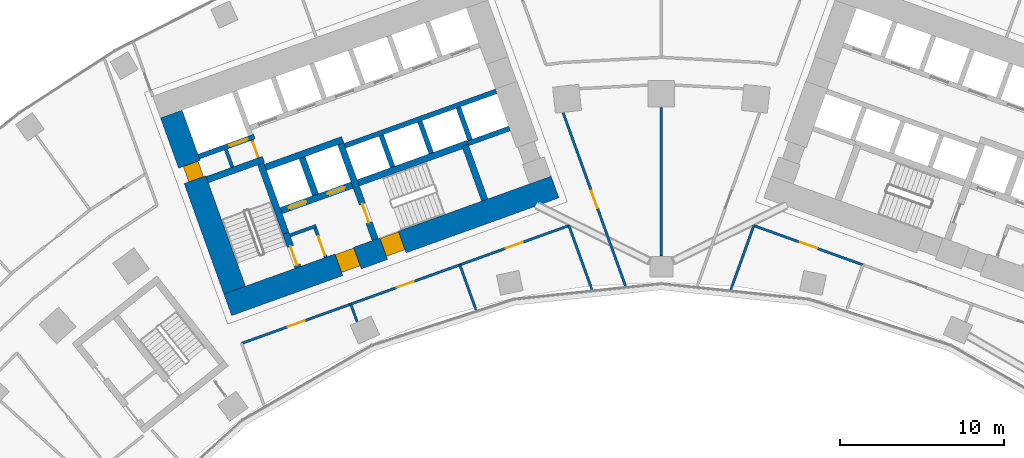
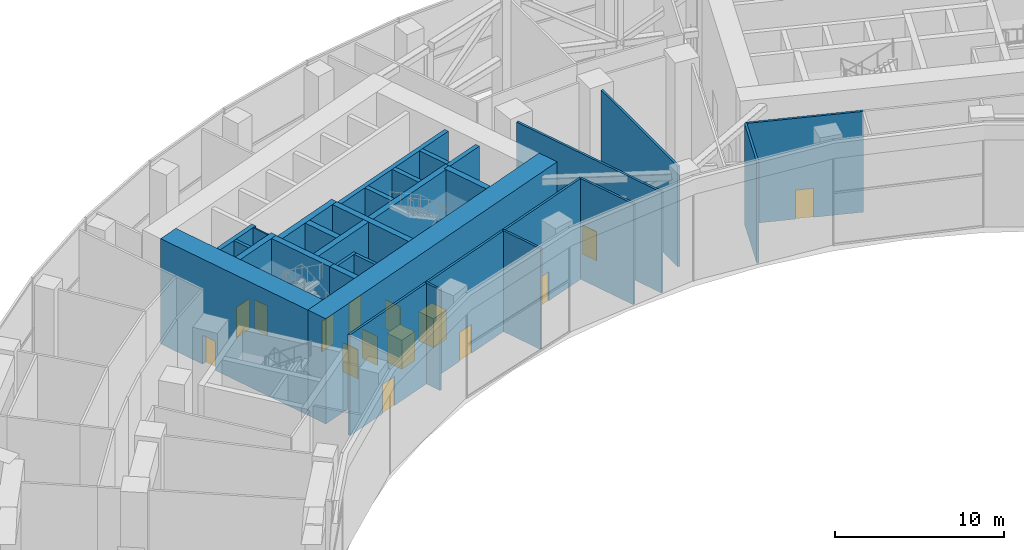
# One storey, part 25 of 33: 30 walls, 15 doors, 15 openings.
"""IFC4 building model written with IfcOpenShell, lengths in metres."""

from ifc_helpers import new_model, si_unit, direction, frame, frame_2d, origin, place, context, subcontext, project, spatial, rectangle, extrude, material, layer, layer_set, type_object, element, fill, save


model = new_model("IFC4")

# Units and contexts
model_context = context("Model", 3, precision=1e-05, world=origin(), true_north=direction((0.0, 1.0)))
body_context = subcontext(model_context, "Body", "Model", "MODEL_VIEW")
ifc_project = project(units=[si_unit("LENGTHUNIT", "METRE"), si_unit("AREAUNIT", "SQUARE_METRE"), si_unit("VOLUMEUNIT", "CUBIC_METRE"), si_unit("PLANEANGLEUNIT", "RADIAN"), si_unit("MASSUNIT", "GRAM", prefix="KILO")], contexts=[model_context])

# Site, building, storey
site_placement = place(None, origin())
site = spatial("IfcSite", under=ifc_project, at=site_placement, CompositionType="ELEMENT")
building_placement = place(site_placement, origin())
building = spatial("IfcBuilding", under=site, at=building_placement, Name="Stone Belt Terrace Tower", CompositionType="ELEMENT")
storey_placement = place(building_placement, frame((0.0, 0.0, 79.39990234375)))
storey = spatial("IfcBuildingStorey", under=building, at=storey_placement, Name="L19", CompositionType="ELEMENT", Elevation=79.39990234375)

# Wall, opening, door
ifc_material_1 = material(Name="Plasterboard partition")
ifc_layer_1 = layer(ifc_material_1, 0.10009765625)
ifc_layer_set_1 = layer_set([ifc_layer_1], Name="Core partition 100")
wall_type_1 = type_object("IfcWallType", Name="Core partition 100", PredefinedType="PARTITIONING", material=ifc_layer_set_1)
wall_1_placement = place(storey_placement, frame((-24.555908203125, 51.10400390625, 0.0), z_axis=(0.0, 0.0, 1.0), x_axis=(-0.338621735342, 0.94092258999, 0.0)))
wall_1 = element("IfcWall", 1, at=wall_1_placement, inside=storey, type_object=wall_type_1, Name="Core A wall", PredefinedType="PARTITIONING", context=body_context, shape_type="SweptSolid", body=[
    extrude(rectangle(XDim=1.14990234375, YDim=0.10009765625, at=frame_2d((0.574951171875, 0.0))), origin(), (0.0, 0.0, 1.0), 7.280029296875),
])
opening_1_placement = place(wall_1_placement, frame((0.050048828125, 0.0, 0.0)))
opening_1 = element("IfcOpeningElement", 2, at=opening_1_placement, cuts=wall_1, Name="Opening L19-C02", PredefinedType="OPENING", context=body_context, shape_type="SweptSolid", body=[
    extrude(rectangle(XDim=1.0, YDim=2.10009765625, at=frame_2d((0.5, 1.050048828125))), frame((0.0, 0.06005859375, 0.0), z_axis=(0.0, -1.0, 0.0), x_axis=(1.0, 0.0, 0.0)), (0.0, 0.0, 1.0), 0.1201171875),
])
ifc_material_2 = material(Name="Timber door leaf", Category="wood")
door_type_1 = type_object("IfcDoorType", Name="Core room door 1000", OperationType="SINGLE_SWING_LEFT", PredefinedType="DOOR", material=ifc_material_2)
door_1_placement = place(opening_1_placement, origin())
door_1 = element("IfcDoor", 3, at=door_1_placement, inside=storey, type_object=door_type_1, Name="Service lift lobby door core A", OperationType="SINGLE_SWING_LEFT", OverallHeight=2.10009765625, OverallWidth=1.0, PredefinedType="DOOR", context=body_context, shape_type="SweptSolid", body=[
    extrude(rectangle(XDim=1.0, YDim=2.10009765625, at=frame_2d((0.5, 1.050048828125))), frame((0.0, 0.02490234375, 0.0), z_axis=(0.0, -1.0, 0.0), x_axis=(1.0, 0.0, 0.0)), (0.0, 0.0, 1.0), 0.050048828125),
])
fill(opening_1, door_1)

# Wall, openings, doors
ifc_material_3 = material(Name="Concrete B80", Category="concrete")
ifc_layer_2 = layer(ifc_material_3, 1.39990234375)
ifc_layer_set_2 = layer_set([ifc_layer_2], Name="Core wall 1400 B80")
wall_type_2 = type_object("IfcWallType", Name="Core wall 1400 B80", PredefinedType="SHEAR", material=ifc_layer_set_2)
wall_2_placement = place(storey_placement, frame((-26.430908203125, 42.139404296875, 0.0), z_axis=(0.0, 0.0, 1.0), x_axis=(0.940923374003, 0.33861955681, 0.0)))
wall_2 = element("IfcWall", 4, at=wall_2_placement, inside=storey, type_object=wall_type_2, Name="Core A wall concave L19", PredefinedType="SHEAR", context=body_context, shape_type="SweptSolid", body=[
    extrude(rectangle(XDim=21.199951171875, YDim=1.39990234375, at=frame_2d((10.60009765625, 0.0))), origin(), (0.0, 0.0, 1.0), 7.60009765625),
])
opening_2_placement = place(wall_2_placement, frame((7.199951171875, 0.0, 0.0)))
opening_2 = element("IfcOpeningElement", 5, at=opening_2_placement, cuts=wall_2, Name="Opening L19-C06", PredefinedType="OPENING", context=body_context, shape_type="SweptSolid", body=[
    extrude(rectangle(XDim=1.199951171875, YDim=2.10009765625, at=frame_2d((0.60009765625, 1.050048828125))), frame((0.0, 0.7099609375, 0.0), z_axis=(0.0, -1.0, 0.0), x_axis=(1.0, 0.0, 0.0)), (0.0, 0.0, 1.0), 1.419921875),
])
opening_3_placement = place(wall_2_placement, frame((10.099853515625, 0.0, 0.0)))
opening_3 = element("IfcOpeningElement", 6, at=opening_3_placement, cuts=wall_2, Name="Opening L19-C08", PredefinedType="OPENING", context=body_context, shape_type="SweptSolid", body=[
    extrude(rectangle(XDim=1.199951171875, YDim=2.10009765625, at=frame_2d((0.60009765625, 1.050048828125))), frame((0.0, 0.7099609375, 0.0), z_axis=(0.0, -1.0, 0.0), x_axis=(1.0, 0.0, 0.0)), (0.0, 0.0, 1.0), 1.419921875),
])
ifc_material_4 = material(Name="Steel door leaf", Category="steel")
door_type_2 = type_object("IfcDoorType", Name="Fire-fighting lobby door 1200", OperationType="SINGLE_SWING_LEFT", PredefinedType="DOOR", material=ifc_material_4)
door_2_placement = place(opening_2_placement, origin())
door_2 = element("IfcDoor", 7, at=door_2_placement, inside=storey, type_object=door_type_2, Name="Fire-fighting lobby door core A", OperationType="SINGLE_SWING_LEFT", OverallHeight=2.10009765625, OverallWidth=1.199951171875, PredefinedType="DOOR", context=body_context, shape_type="SweptSolid", body=[
    extrude(rectangle(XDim=1.199951171875, YDim=2.10009765625, at=frame_2d((0.60009765625, 1.050048828125))), frame((0.0, 0.655029296875, 0.0), z_axis=(0.0, -1.0, 0.0), x_axis=(1.0, 0.0, 0.0)), (0.0, 0.0, 1.0), 1.14990234375),
])
fill(opening_2, door_2)
door_type_3 = type_object("IfcDoorType", Name="Stair door 1200", OperationType="SINGLE_SWING_LEFT", PredefinedType="DOOR", material=ifc_material_4)
door_3_placement = place(opening_3_placement, origin())
door_3 = element("IfcDoor", 8, at=door_3_placement, inside=storey, type_object=door_type_3, Name="Stair 2 exit door core A", OperationType="SINGLE_SWING_RIGHT", OverallHeight=2.10009765625, OverallWidth=1.199951171875, PredefinedType="DOOR", context=body_context, shape_type="SweptSolid", body=[
    extrude(rectangle(XDim=1.199951171875, YDim=2.10009765625, at=frame_2d((0.60009765625, 1.050048828125))), frame((0.0, 0.655029296875, 0.0), z_axis=(0.0, -1.0, 0.0), x_axis=(1.0, 0.0, 0.0)), (0.0, 0.0, 1.0), 1.14990234375),
])
fill(opening_3, door_3)

# Wall, opening, door
wall_3_placement = place(storey_placement, frame((-26.00927734375, 43.03515625, 0.0), z_axis=(0.0, 0.0, 1.0), x_axis=(-0.338625431531, 0.940921259788, 0.0)))
wall_3 = element("IfcWall", 9, at=wall_3_placement, inside=storey, type_object=wall_type_2, Name="Core A wall end_a L19", PredefinedType="SHEAR", context=body_context, shape_type="SweptSolid", body=[
    extrude(rectangle(XDim=11.400146484375, YDim=1.39990234375, at=frame_2d((5.7001953125, 0.0))), origin(), (0.0, 0.0, 1.0), 7.60009765625),
])
opening_4_placement = place(wall_3_placement, frame((7.14990234375, 0.0, 0.0)))
opening_4 = element("IfcOpeningElement", 10, at=opening_4_placement, cuts=wall_3, Name="Opening L19-C01", PredefinedType="OPENING", context=body_context, shape_type="SweptSolid", body=[
    extrude(rectangle(XDim=1.0, YDim=2.10009765625, at=frame_2d((0.5, 1.050048828125))), frame((0.0, 0.7099609375, 0.0), z_axis=(0.0, -1.0, 0.0), x_axis=(1.0, 0.0, 0.0)), (0.0, 0.0, 1.0), 1.419921875),
])
door_4_placement = place(opening_4_placement, origin())
door_4 = element("IfcDoor", 11, at=door_4_placement, inside=storey, type_object=door_type_1, Name="Door to Plant riser room core A", OperationType="SINGLE_SWING_RIGHT", OverallHeight=2.10009765625, OverallWidth=1.0, PredefinedType="DOOR", context=body_context, shape_type="SweptSolid", body=[
    extrude(rectangle(XDim=1.0, YDim=2.10009765625, at=frame_2d((0.5, 1.050048828125))), frame((0.0, 0.39501953125, 0.0), z_axis=(0.0, -1.0, 0.0), x_axis=(1.0, 0.0, 0.0)), (0.0, 0.0, 1.0), 0.949951171875),
])
fill(opening_4, door_4)

# Walls
ifc_layer_3 = layer(ifc_material_3, 0.39990234375)
ifc_layer_set_3 = layer_set([ifc_layer_3], Name="Fire-fighting lift shaft wall 400")
wall_type_3 = type_object("IfcWallType", Name="Fire-fighting lift shaft wall 400", PredefinedType="SHEAR", material=ifc_layer_set_3)
wall_4_placement = place(storey_placement, frame((-24.130615234375, 50.512939453125, 0.0), z_axis=(0.0, 0.0, 1.0), x_axis=(0.94091168377, 0.338652038744, 0.0)))
element("IfcWall", 12, at=wall_4_placement, inside=storey, type_object=wall_type_3, Name="Core A wall", PredefinedType="SHEAR", context=body_context, shape_type="SweptSolid", body=[
    extrude(rectangle(XDim=5.000244140625, YDim=0.39990234375, at=frame_2d((2.5, 0.0))), origin(), (0.0, 0.0, 1.0), 7.280029296875),
])
wall_5_placement = place(storey_placement, frame((-21.0859375, 48.845458984375, 0.0), z_axis=(0.0, 0.0, 1.0), x_axis=(-0.338629416206, 0.940919825745, 0.0)))
element("IfcWall", 13, at=wall_5_placement, inside=storey, type_object=wall_type_3, Name="Core A wall", PredefinedType="SHEAR", context=body_context, shape_type="SweptSolid", body=[
    extrude(rectangle(XDim=2.400146484375, YDim=0.39990234375, at=frame_2d((1.2001953125, 0.0))), origin(), (0.0, 0.0, 1.0), 7.280029296875),
])

# Wall, opening, door
ifc_layer_4 = layer(ifc_material_3, 0.300048828125)
ifc_layer_set_4 = layer_set([ifc_layer_4], Name="Lift shaft wall 300")
wall_type_4 = type_object("IfcWallType", Name="Lift shaft wall 300", PredefinedType="SHEAR", material=ifc_layer_set_4)
wall_6_placement = place(storey_placement, frame((-28.195068359375, 51.17578125, 0.0), z_axis=(0.0, 0.0, 1.0), x_axis=(0.940901243567, 0.338681044427, 0.0)))
wall_6 = element("IfcWall", 14, at=wall_6_placement, inside=storey, type_object=wall_type_4, Name="Core A wall", PredefinedType="SHEAR", context=body_context, shape_type="SweptSolid", body=[
    extrude(rectangle(XDim=3.599853515625, YDim=0.300048828125, at=frame_2d((1.7998046875, 0.0))), origin(), (0.0, 0.0, 1.0), 7.280029296875),
])
opening_5_placement = place(wall_6_placement, frame((1.969970703125, 0.0, 0.0)))
opening_5 = element("IfcOpeningElement", 15, at=opening_5_placement, cuts=wall_6, Name="Opening L19-LD09", PredefinedType="OPENING", context=body_context, shape_type="SweptSolid", body=[
    extrude(rectangle(XDim=1.199951171875, YDim=2.199951171875, at=frame_2d((0.60009765625, 1.10009765625))), frame((0.0, 0.159912109375, 0.0), z_axis=(0.0, -1.0, 0.0), x_axis=(1.0, 0.0, 0.0)), (0.0, 0.0, 1.0), 0.320068359375),
])
ifc_material_5 = material(Name="Stainless steel door leaf", Category="steel")
door_type_4 = type_object("IfcDoorType", Name="Landing door 1200", OperationType="SLIDING_TO_LEFT", PredefinedType="DOOR", material=ifc_material_5)
door_5_placement = place(opening_5_placement, origin())
door_5 = element("IfcDoor", 16, at=door_5_placement, inside=storey, type_object=door_type_4, Name="Landing door SV1 core A", OperationType="SLIDING_TO_LEFT", OverallHeight=2.199951171875, OverallWidth=1.199951171875, PredefinedType="DOOR", context=body_context, shape_type="SweptSolid", body=[
    extrude(rectangle(XDim=1.199951171875, YDim=2.199951171875, at=frame_2d((0.60009765625, 1.10009765625))), frame((0.0, 0.02490234375, 0.0), z_axis=(0.0, -1.0, 0.0), x_axis=(1.0, 0.0, 0.0)), (0.0, 0.0, 1.0), 0.050048828125),
])
fill(opening_5, door_5)

# Walls
wall_7_placement = place(storey_placement, frame((-19.29052734375, 51.829833984375, 0.0), z_axis=(0.0, 0.0, 1.0), x_axis=(0.940925833398, 0.338612722803, 0.0)))
element("IfcWall", 17, at=wall_7_placement, inside=storey, type_object=wall_type_4, Name="Core A wall", PredefinedType="SHEAR", context=body_context, shape_type="SweptSolid", body=[
    extrude(rectangle(XDim=9.7998046875, YDim=0.300048828125, at=frame_2d((4.89990234375, 0.0))), origin(), (0.0, 0.0, 1.0), 7.280029296875),
])
for number, where, z_axis, x_axis, name in (
    (18, (-16.38134765625, 50.53857421875, 0.0), (0.0, 0.0, 1.0), (-0.338681515556, 0.940901073982, 0.0), "Core A wall"),
    (19, (-14.029052734375, 51.38525390625, 0.0), (0.0, 0.0, 1.0), (-0.338681515556, 0.940901073982, 0.0), "Core A wall"),
):
    element("IfcWall", number, at=place(storey_placement, frame(where, z_axis=z_axis, x_axis=x_axis)), inside=storey, type_object=wall_type_4, Name=name, PredefinedType="SHEAR", context=body_context, shape_type="SweptSolid", body=[
        extrude(rectangle(XDim=2.050048828125, YDim=0.300048828125, at=frame_2d((1.02490234375, 0.0))), origin(), (0.0, 0.0, 1.0), 7.280029296875),
    ])
wall_8_placement = place(storey_placement, frame((-11.797119140625, 51.975830078125, 0.0), z_axis=(0.0, 0.0, 1.0), x_axis=(0.940910465161, 0.33865542451, 0.0)))
element("IfcWall", 20, at=wall_8_placement, inside=storey, type_object=wall_type_4, Name="Core A wall", PredefinedType="SHEAR", context=body_context, shape_type="SweptSolid", body=[
    extrude(rectangle(XDim=2.69970703125, YDim=0.300048828125, at=frame_2d((1.349853515625, 0.0))), origin(), (0.0, 0.0, 1.0), 7.280029296875),
])
wall_9_placement = place(storey_placement, frame((-11.659912109375, 52.184814453125, 0.0), z_axis=(0.0, 0.0, 1.0), x_axis=(-0.338670064856, 0.940905195634, 0.0)))
element("IfcWall", 21, at=wall_9_placement, inside=storey, type_object=wall_type_4, Name="Core A wall", PredefinedType="SHEAR", context=body_context, shape_type="SweptSolid", body=[
    extrude(rectangle(XDim=2.099853515625, YDim=0.300048828125, at=frame_2d((1.0498046875, 0.0))), origin(), (0.0, 0.0, 1.0), 7.280029296875),
])
ifc_material_6 = material(Name="Gypsum board partition")
ifc_layer_5 = layer(ifc_material_6, 0.14990234375)
ifc_layer_set_5 = layer_set([ifc_layer_5], Name="PARTITION 150 EI 60")
wall_type_5 = type_object("IfcWallType", Name="PARTITION 150 EI 60", PredefinedType="PARTITIONING", material=ifc_layer_set_5)
wall_10_placement = place(storey_placement, frame((-4.230224609375, 43.055419921875, 0.0), z_axis=(0.0, 0.0, 1.0), x_axis=(-0.33845358521, 0.940983087339, 0.0)))
element("IfcWall", 22, at=wall_10_placement, inside=storey, type_object=wall_type_5, Name="L19/wall/i006", PredefinedType="PARTITIONING", context=body_context, shape_type="SweptSolid", body=[
    extrude(rectangle(XDim=4.162109375, YDim=0.14990234375, at=frame_2d((2.0810546875, 0.0))), origin(), (0.0, 0.0, 1.0), 7.280029296875),
])

# Wall, opening, door
wall_11_placement = place(storey_placement, frame((-5.98583984375, 53.83935546875, 0.0), z_axis=(0.0, 0.0, 1.0), x_axis=(0.338660972621, -0.940908468249, 0.0)))
wall_11 = element("IfcWall", 23, at=wall_11_placement, inside=storey, type_object=wall_type_5, Name="L19/wall/i008", PredefinedType="PARTITIONING", context=body_context, shape_type="SweptSolid", body=[
    extrude(rectangle(XDim=11.232421875, YDim=0.14990234375, at=frame_2d((5.6162109375, 0.0))), origin(), (0.0, 0.0, 1.0), 7.280029296875),
])
opening_6_placement = place(wall_11_placement, frame((5.066162109375, 0.0, 0.0)))
opening_6 = element("IfcOpeningElement", 24, at=opening_6_placement, cuts=wall_11, Name="Opening D-T1-29", PredefinedType="OPENING", context=body_context, shape_type="SweptSolid", body=[
    extrude(rectangle(XDim=1.10009765625, YDim=2.10009765625, at=frame_2d((0.550048828125, 1.050048828125))), frame((0.0, 0.0849609375, 0.0), z_axis=(0.0, -1.0, 0.0), x_axis=(1.0, 0.0, 0.0)), (0.0, 0.0, 1.0), 0.169921875),
])
ifc_material_7 = material(Name="Steel fire door set", Category="steel")
door_type_5 = type_object("IfcDoorType", Name="SERVICE ROOM DOOR 1100 X 2100", OperationType="NOTDEFINED", PredefinedType="DOOR", material=ifc_material_7)
door_6_placement = place(opening_6_placement, origin())
door_6 = element("IfcDoor", 25, at=door_6_placement, inside=storey, type_object=door_type_5, Name="L19/door/i29", OperationType="SINGLE_SWING_LEFT", OverallHeight=2.10009765625, OverallWidth=1.10009765625, PredefinedType="DOOR", context=body_context, shape_type="SweptSolid", body=[
    extrude(rectangle(XDim=1.10009765625, YDim=2.10009765625, at=frame_2d((0.550048828125, 1.050048828125))), frame((0.0, 0.02490234375, 0.0), z_axis=(0.0, -1.0, 0.0), x_axis=(1.0, 0.0, 0.0)), (0.0, 0.0, 1.0), 0.050048828125),
])
fill(opening_6, door_6)

wall_12_placement = place(storey_placement, frame((-18.928955078125, 42.181884765625, 0.0), z_axis=(0.0, 0.0, 1.0), x_axis=(-0.940934046642, -0.338589899245, 0.0)))
wall_12 = element("IfcWall", 26, at=wall_12_placement, inside=storey, type_object=wall_type_5, Name="L19/wall/i010", PredefinedType="PARTITIONING", context=body_context, shape_type="SweptSolid", body=[
    extrude(rectangle(XDim=7.07275390625, YDim=0.14990234375, at=frame_2d((3.536376953125, 0.0))), origin(), (0.0, 0.0, 1.0), 7.280029296875),
])
opening_7_placement = place(wall_12_placement, frame((2.986328125, 0.0, 0.0)))
opening_7 = element("IfcOpeningElement", 27, at=opening_7_placement, cuts=wall_12, Name="Opening D-T1-01", PredefinedType="OPENING", context=body_context, shape_type="SweptSolid", body=[
    extrude(rectangle(XDim=1.10009765625, YDim=2.10009765625, at=frame_2d((0.550048828125, 1.050048828125))), frame((0.0, 0.0849609375, 0.0), z_axis=(0.0, -1.0, 0.0), x_axis=(1.0, 0.0, 0.0)), (0.0, 0.0, 1.0), 0.169921875),
])
door_7_placement = place(opening_7_placement, origin())
door_7 = element("IfcDoor", 28, at=door_7_placement, inside=storey, type_object=door_type_5, Name="L19/door/i01", OperationType="SINGLE_SWING_LEFT", OverallHeight=2.10009765625, OverallWidth=1.10009765625, PredefinedType="DOOR", context=body_context, shape_type="SweptSolid", body=[
    extrude(rectangle(XDim=1.10009765625, YDim=2.10009765625, at=frame_2d((0.550048828125, 1.050048828125))), frame((0.0, 0.02490234375, 0.0), z_axis=(0.0, -1.0, 0.0), x_axis=(1.0, 0.0, 0.0)), (0.0, 0.0, 1.0), 0.050048828125),
])
fill(opening_7, door_7)

wall_13_placement = place(storey_placement, frame((-12.280029296875, 44.574951171875, 0.0), z_axis=(0.0, 0.0, 1.0), x_axis=(-0.940930050063, -0.338601005444, 0.0)))
wall_13 = element("IfcWall", 29, at=wall_13_placement, inside=storey, type_object=wall_type_5, Name="L19/wall/i011", PredefinedType="PARTITIONING", context=body_context, shape_type="SweptSolid", body=[
    extrude(rectangle(XDim=7.0791015625, YDim=0.14990234375, at=frame_2d((3.53955078125, 0.0))), origin(), (0.0, 0.0, 1.0), 7.280029296875),
])
opening_8_placement = place(wall_13_placement, frame((2.989501953125, 0.0, 0.0)))
opening_8 = element("IfcOpeningElement", 30, at=opening_8_placement, cuts=wall_13, Name="Opening D-T1-02", PredefinedType="OPENING", context=body_context, shape_type="SweptSolid", body=[
    extrude(rectangle(XDim=1.10009765625, YDim=2.10009765625, at=frame_2d((0.550048828125, 1.050048828125))), frame((0.0, 0.0849609375, 0.0), z_axis=(0.0, -1.0, 0.0), x_axis=(1.0, 0.0, 0.0)), (0.0, 0.0, 1.0), 0.169921875),
])
door_8_placement = place(opening_8_placement, origin())
door_8 = element("IfcDoor", 31, at=door_8_placement, inside=storey, type_object=door_type_5, Name="L19/door/i02", OperationType="SINGLE_SWING_RIGHT", OverallHeight=2.10009765625, OverallWidth=1.10009765625, PredefinedType="DOOR", context=body_context, shape_type="SweptSolid", body=[
    extrude(rectangle(XDim=1.10009765625, YDim=2.10009765625, at=frame_2d((0.550048828125, 1.050048828125))), frame((0.0, 0.02490234375, 0.0), z_axis=(0.0, -1.0, 0.0), x_axis=(1.0, 0.0, 0.0)), (0.0, 0.0, 1.0), 0.050048828125),
])
fill(opening_8, door_8)

wall_14_placement = place(storey_placement, frame((-5.636962890625, 46.966064453125, 0.0), z_axis=(0.0, 0.0, 1.0), x_axis=(-0.940923049066, -0.338620459714, 0.0)))
wall_14 = element("IfcWall", 32, at=wall_14_placement, inside=storey, type_object=wall_type_5, Name="L19/wall/i012", PredefinedType="PARTITIONING", context=body_context, shape_type="SweptSolid", body=[
    extrude(rectangle(XDim=7.07275390625, YDim=0.14990234375, at=frame_2d((3.536376953125, 0.0))), origin(), (0.0, 0.0, 1.0), 7.280029296875),
])
opening_9_placement = place(wall_14_placement, frame((2.986328125, 0.0, 0.0)))
opening_9 = element("IfcOpeningElement", 33, at=opening_9_placement, cuts=wall_14, Name="Opening D-T1-03", PredefinedType="OPENING", context=body_context, shape_type="SweptSolid", body=[
    extrude(rectangle(XDim=1.10009765625, YDim=2.10009765625, at=frame_2d((0.550048828125, 1.050048828125))), frame((0.0, 0.0849609375, 0.0), z_axis=(0.0, -1.0, 0.0), x_axis=(1.0, 0.0, 0.0)), (0.0, 0.0, 1.0), 0.169921875),
])
door_9_placement = place(opening_9_placement, origin())
door_9 = element("IfcDoor", 34, at=door_9_placement, inside=storey, type_object=door_type_5, Name="L19/door/i03", OperationType="SINGLE_SWING_RIGHT", OverallHeight=2.10009765625, OverallWidth=1.10009765625, PredefinedType="DOOR", context=body_context, shape_type="SweptSolid", body=[
    extrude(rectangle(XDim=1.10009765625, YDim=2.10009765625, at=frame_2d((0.550048828125, 1.050048828125))), frame((0.0, 0.02490234375, 0.0), z_axis=(0.0, -1.0, 0.0), x_axis=(1.0, 0.0, 0.0)), (0.0, 0.0, 1.0), 0.050048828125),
])
fill(opening_9, door_9)

# Walls
wall_15_placement = place(storey_placement, frame((-18.93505859375, 42.179931640625, 0.0), z_axis=(0.0, 0.0, 1.0), x_axis=(0.338537137062, -0.94095303115, 0.0)))
element("IfcWall", 35, at=wall_15_placement, inside=storey, type_object=wall_type_5, Name="L19/wall/i013", PredefinedType="PARTITIONING", context=body_context, shape_type="SweptSolid", body=[
    extrude(rectangle(XDim=1.137939453125, YDim=0.14990234375, at=frame_2d((0.56884765625, 0.0))), origin(), (0.0, 0.0, 1.0), 7.280029296875),
])
wall_16_placement = place(storey_placement, frame((-12.285888671875, 44.572998046875, 0.0), z_axis=(0.0, 0.0, 1.0), x_axis=(0.338406432662, -0.941000045873, 0.0)))
element("IfcWall", 36, at=wall_16_placement, inside=storey, type_object=wall_type_5, Name="L19/wall/i014", PredefinedType="PARTITIONING", context=body_context, shape_type="SweptSolid", body=[
    extrude(rectangle(XDim=2.927490234375, YDim=0.14990234375, at=frame_2d((1.4638671875, 0.0))), origin(), (0.0, 0.0, 1.0), 7.280029296875),
])
wall_17_placement = place(storey_placement, frame((5.638916015625, 46.971923828125, 0.0), z_axis=(0.0, 0.0, 1.0), x_axis=(-0.33845358521, -0.940983087339, 0.0)))
element("IfcWall", 37, at=wall_17_placement, inside=storey, type_object=wall_type_5, Name="L19/wall/i016", PredefinedType="PARTITIONING", context=body_context, shape_type="SweptSolid", body=[
    extrude(rectangle(XDim=4.162109375, YDim=0.14990234375, at=frame_2d((2.0810546875, 0.0))), origin(), (0.0, 0.0, 1.0), 7.280029296875),
])

# Wall, opening, door
wall_18_placement = place(storey_placement, frame((12.2919921875, 44.571044921875, 0.0), z_axis=(0.0, 0.0, 1.0), x_axis=(-0.940923049066, 0.338620459714, 0.0)))
wall_18 = element("IfcWall", 38, at=wall_18_placement, inside=storey, type_object=wall_type_5, Name="L19/wall/i025", PredefinedType="PARTITIONING", context=body_context, shape_type="SweptSolid", body=[
    extrude(rectangle(XDim=7.07275390625, YDim=0.14990234375, at=frame_2d((3.536376953125, 0.0))), origin(), (0.0, 0.0, 1.0), 7.280029296875),
])
opening_10_placement = place(wall_18_placement, frame((2.986328125, 0.0, 0.0)))
opening_10 = element("IfcOpeningElement", 39, at=opening_10_placement, cuts=wall_18, Name="Opening D-T1-06", PredefinedType="OPENING", context=body_context, shape_type="SweptSolid", body=[
    extrude(rectangle(XDim=1.10009765625, YDim=2.10009765625, at=frame_2d((0.550048828125, 1.050048828125))), frame((0.0, 0.0849609375, 0.0), z_axis=(0.0, -1.0, 0.0), x_axis=(1.0, 0.0, 0.0)), (0.0, 0.0, 1.0), 0.169921875),
])
door_10_placement = place(opening_10_placement, origin())
door_10 = element("IfcDoor", 40, at=door_10_placement, inside=storey, type_object=door_type_5, Name="L19/door/i06", OperationType="SINGLE_SWING_RIGHT", OverallHeight=2.10009765625, OverallWidth=1.10009765625, PredefinedType="DOOR", context=body_context, shape_type="SweptSolid", body=[
    extrude(rectangle(XDim=1.10009765625, YDim=2.10009765625, at=frame_2d((0.550048828125, 1.050048828125))), frame((0.0, 0.02490234375, 0.0), z_axis=(0.0, -1.0, 0.0), x_axis=(1.0, 0.0, 0.0)), (0.0, 0.0, 1.0), 0.050048828125),
])
fill(opening_10, door_10)

# Walls
wall_19_placement = place(storey_placement, frame((0.0, 54.169921875, 0.0), z_axis=(0.0, 0.0, 1.0), x_axis=(0.0, -1.0, 0.0)))
element("IfcWall", 41, at=wall_19_placement, inside=storey, type_object=wall_type_5, Name="L19/wall/i081", PredefinedType="PARTITIONING", context=body_context, shape_type="SweptSolid", body=[
    extrude(rectangle(XDim=9.06982421875, YDim=0.14990234375, at=frame_2d((4.534912109375, 0.0))), origin(), (0.0, 0.0, 1.0), 7.280029296875),
])
ifc_material_8 = material(Name="Concrete masonry block", Category="masonry")
ifc_layer_6 = layer(ifc_material_8, 0.199951171875)
ifc_layer_set_6 = layer_set([ifc_layer_6], Name="Rated lobby wall 200")
wall_type_6 = type_object("IfcWallType", Name="Rated lobby wall 200", PredefinedType="PARTITIONING", material=ifc_layer_set_6)
wall_20_placement = place(storey_placement, frame((-26.1552734375, 50.5283203125, 0.0), z_axis=(0.0, 0.0, 1.0), x_axis=(-0.338621735342, 0.94092258999, 0.0)))
element("IfcWall", 42, at=wall_20_placement, inside=storey, type_object=wall_type_6, Name="Core A wall", PredefinedType="PARTITIONING", context=body_context, shape_type="SweptSolid", body=[
    extrude(rectangle(XDim=1.14990234375, YDim=0.199951171875, at=frame_2d((0.574951171875, 0.0))), origin(), (0.0, 0.0, 1.0), 7.280029296875),
])
wall_21_placement = place(storey_placement, frame((-22.640625, 46.373046875, 0.0), z_axis=(0.0, 0.0, 1.0), x_axis=(0.940966110313, 0.338500781747, 0.0)))
element("IfcWall", 43, at=wall_21_placement, inside=storey, type_object=wall_type_6, Name="Core A wall", PredefinedType="PARTITIONING", context=body_context, shape_type="SweptSolid", body=[
    extrude(rectangle(XDim=1.699951171875, YDim=0.199951171875, at=frame_2d((0.85009765625, 0.0))), origin(), (0.0, 0.0, 1.0), 7.280029296875),
])

# Wall, opening, door
wall_22_placement = place(storey_placement, frame((-20.4580078125, 45.032958984375, 0.0), z_axis=(0.0, 0.0, 1.0), x_axis=(-0.338573865316, 0.940939816208, 0.0)))
wall_22 = element("IfcWall", 44, at=wall_22_placement, inside=storey, type_object=wall_type_6, Name="Core A wall", PredefinedType="PARTITIONING", context=body_context, shape_type="SweptSolid", body=[
    extrude(rectangle(XDim=1.900146484375, YDim=0.199951171875, at=frame_2d((0.9501953125, 0.0))), origin(), (0.0, 0.0, 1.0), 7.280029296875),
])
opening_11_placement = place(wall_22_placement, frame((0.14990234375, 0.0, 0.0)))
opening_11 = element("IfcOpeningElement", 45, at=opening_11_placement, cuts=wall_22, Name="Opening L19-C05", PredefinedType="OPENING", context=body_context, shape_type="SweptSolid", body=[
    extrude(rectangle(XDim=1.199951171875, YDim=2.10009765625, at=frame_2d((0.60009765625, 1.050048828125))), frame((0.0, 0.10986328125, 0.0), z_axis=(0.0, -1.0, 0.0), x_axis=(1.0, 0.0, 0.0)), (0.0, 0.0, 1.0), 0.219970703125),
])
door_11_placement = place(opening_11_placement, origin())
door_11 = element("IfcDoor", 46, at=door_11_placement, inside=storey, type_object=door_type_3, Name="Stair airlock door core A", OperationType="SINGLE_SWING_LEFT", OverallHeight=2.10009765625, OverallWidth=1.199951171875, PredefinedType="DOOR", context=body_context, shape_type="SweptSolid", body=[
    extrude(rectangle(XDim=1.199951171875, YDim=2.10009765625, at=frame_2d((0.60009765625, 1.050048828125))), frame((0.0, 0.02490234375, 0.0), z_axis=(0.0, -1.0, 0.0), x_axis=(1.0, 0.0, 0.0)), (0.0, 0.0, 1.0), 0.050048828125),
])
fill(opening_11, door_11)

# Wall
ifc_layer_7 = layer(ifc_material_3, 0.39990234375)
ifc_layer_set_7 = layer_set([ifc_layer_7], Name="Stair enclosure wall 400")
wall_type_7 = type_object("IfcWallType", Name="Stair enclosure wall 400", PredefinedType="SHEAR", material=ifc_layer_set_7)
wall_23_placement = place(storey_placement, frame((-27.687255859375, 49.764404296875, 0.0), z_axis=(0.0, 0.0, 1.0), x_axis=(0.940918954884, 0.338631835981, 0.0)))
element("IfcWall", 47, at=wall_23_placement, inside=storey, type_object=wall_type_7, Name="Core A wall", PredefinedType="SHEAR", context=body_context, shape_type="SweptSolid", body=[
    extrude(rectangle(XDim=3.650146484375, YDim=0.39990234375, at=frame_2d((1.8251953125, 0.0))), origin(), (0.0, 0.0, 1.0), 7.280029296875),
])

# Wall, opening, door
wall_24_placement = place(storey_placement, frame((-22.151611328125, 44.42333984375, 0.0), z_axis=(0.0, 0.0, 1.0), x_axis=(-0.338577997708, 0.940938329259, 0.0)))
wall_24 = element("IfcWall", 48, at=wall_24_placement, inside=storey, type_object=wall_type_7, Name="Core A wall", PredefinedType="SHEAR", context=body_context, shape_type="SweptSolid", body=[
    extrude(rectangle(XDim=2.199951171875, YDim=0.39990234375, at=frame_2d((1.10009765625, 0.0))), origin(), (0.0, 0.0, 1.0), 7.280029296875),
])
opening_12_placement = place(wall_24_placement, frame((0.14990234375, 0.0, 0.0)))
opening_12 = element("IfcOpeningElement", 49, at=opening_12_placement, cuts=wall_24, Name="Opening L19-C04", PredefinedType="OPENING", context=body_context, shape_type="SweptSolid", body=[
    extrude(rectangle(XDim=1.199951171875, YDim=2.10009765625, at=frame_2d((0.60009765625, 1.050048828125))), frame((0.0, 0.2099609375, 0.0), z_axis=(0.0, -1.0, 0.0), x_axis=(1.0, 0.0, 0.0)), (0.0, 0.0, 1.0), 0.419921875),
])
door_12_placement = place(opening_12_placement, origin())
door_12 = element("IfcDoor", 50, at=door_12_placement, inside=storey, type_object=door_type_3, Name="Stair 1 door core A", OperationType="SINGLE_SWING_LEFT", OverallHeight=2.10009765625, OverallWidth=1.199951171875, PredefinedType="DOOR", context=body_context, shape_type="SweptSolid", body=[
    extrude(rectangle(XDim=1.199951171875, YDim=2.10009765625, at=frame_2d((0.60009765625, 1.050048828125))), frame((0.0, 0.02490234375, 0.0), z_axis=(0.0, -1.0, 0.0), x_axis=(1.0, 0.0, 0.0)), (0.0, 0.0, 1.0), 0.050048828125),
])
fill(opening_12, door_12)

# Wall
wall_25_placement = place(storey_placement, frame((-22.896484375, 46.493408203125, 0.0), z_axis=(0.0, 0.0, 1.0), x_axis=(-0.338648384874, 0.940912998859, 0.0)))
element("IfcWall", 51, at=wall_25_placement, inside=storey, type_object=wall_type_7, Name="Core A wall", PredefinedType="SHEAR", context=body_context, shape_type="SweptSolid", body=[
    extrude(rectangle(XDim=4.5, YDim=0.39990234375, at=frame_2d((2.25, 0.0))), origin(), (0.0, 0.0, 1.0), 7.280029296875),
])

# Wall, openings, doors
wall_26_placement = place(storey_placement, frame((-23.182373046875, 47.87841796875, 0.0), z_axis=(0.0, 0.0, 1.0), x_axis=(0.940921101762, 0.338625870628, 0.0)))
wall_26 = element("IfcWall", 52, at=wall_26_placement, inside=storey, type_object=wall_type_7, Name="Core A wall", PredefinedType="SHEAR", context=body_context, shape_type="SweptSolid", body=[
    extrude(rectangle(XDim=12.10009765625, YDim=0.39990234375, at=frame_2d((6.050048828125, 0.0))), origin(), (0.0, 0.0, 1.0), 7.280029296875),
])
opening_13_placement = place(wall_26_placement, frame((0.52001953125, 0.0, 0.0)))
opening_13 = element("IfcOpeningElement", 53, at=opening_13_placement, cuts=wall_26, Name="Opening L19-LD07", PredefinedType="OPENING", context=body_context, shape_type="SweptSolid", body=[
    extrude(rectangle(XDim=1.10009765625, YDim=2.199951171875, at=frame_2d((0.550048828125, 1.10009765625))), frame((0.0, 0.2099609375, 0.0), z_axis=(0.0, -1.0, 0.0), x_axis=(1.0, 0.0, 0.0)), (0.0, 0.0, 1.0), 0.419921875),
])
opening_14_placement = place(wall_26_placement, frame((3.02001953125, 0.0, 0.0)))
opening_14 = element("IfcOpeningElement", 54, at=opening_14_placement, cuts=wall_26, Name="Opening L19-LD08", PredefinedType="OPENING", context=body_context, shape_type="SweptSolid", body=[
    extrude(rectangle(XDim=1.10009765625, YDim=2.199951171875, at=frame_2d((0.550048828125, 1.10009765625))), frame((0.0, 0.2099609375, 0.0), z_axis=(0.0, -1.0, 0.0), x_axis=(1.0, 0.0, 0.0)), (0.0, 0.0, 1.0), 0.419921875),
])
door_type_6 = type_object("IfcDoorType", Name="Landing door 1100", OperationType="SLIDING_TO_LEFT", PredefinedType="DOOR", material=ifc_material_5)
door_13_placement = place(opening_13_placement, origin())
door_13 = element("IfcDoor", 55, at=door_13_placement, inside=storey, type_object=door_type_6, Name="Landing door FF1 core A", OperationType="SLIDING_TO_LEFT", OverallHeight=2.199951171875, OverallWidth=1.10009765625, PredefinedType="DOOR", context=body_context, shape_type="SweptSolid", body=[
    extrude(rectangle(XDim=1.10009765625, YDim=2.199951171875, at=frame_2d((0.550048828125, 1.10009765625))), frame((0.0, 0.02490234375, 0.0), z_axis=(0.0, -1.0, 0.0), x_axis=(1.0, 0.0, 0.0)), (0.0, 0.0, 1.0), 0.050048828125),
])
fill(opening_13, door_13)
door_14_placement = place(opening_14_placement, origin())
door_14 = element("IfcDoor", 56, at=door_14_placement, inside=storey, type_object=door_type_6, Name="Landing door FF2 core A", OperationType="SLIDING_TO_LEFT", OverallHeight=2.199951171875, OverallWidth=1.10009765625, PredefinedType="DOOR", context=body_context, shape_type="SweptSolid", body=[
    extrude(rectangle(XDim=1.10009765625, YDim=2.199951171875, at=frame_2d((0.550048828125, 1.10009765625))), frame((0.0, 0.02490234375, 0.0), z_axis=(0.0, -1.0, 0.0), x_axis=(1.0, 0.0, 0.0)), (0.0, 0.0, 1.0), 0.050048828125),
])
fill(opening_14, door_14)

# Wall, opening, door
wall_27_placement = place(storey_placement, frame((-17.447021484375, 46.116455078125, 0.0), z_axis=(0.0, 0.0, 1.0), x_axis=(-0.33860791464, 0.940927563707, 0.0)))
wall_27 = element("IfcWall", 57, at=wall_27_placement, inside=storey, type_object=wall_type_7, Name="Core A wall", PredefinedType="SHEAR", context=body_context, shape_type="SweptSolid", body=[
    extrude(rectangle(XDim=6.199951171875, YDim=0.39990234375, at=frame_2d((3.10009765625, 0.0))), origin(), (0.0, 0.0, 1.0), 7.280029296875),
])
opening_15_placement = place(wall_27_placement, frame((1.10009765625, 0.0, 0.0)))
opening_15 = element("IfcOpeningElement", 58, at=opening_15_placement, cuts=wall_27, Name="Opening L19-C07", PredefinedType="OPENING", context=body_context, shape_type="SweptSolid", body=[
    extrude(rectangle(XDim=1.199951171875, YDim=2.10009765625, at=frame_2d((0.60009765625, 1.050048828125))), frame((0.0, 0.2099609375, 0.0), z_axis=(0.0, -1.0, 0.0), x_axis=(1.0, 0.0, 0.0)), (0.0, 0.0, 1.0), 0.419921875),
])
door_15_placement = place(opening_15_placement, origin())
door_15 = element("IfcDoor", 59, at=door_15_placement, inside=storey, type_object=door_type_3, Name="Stair 2 door core A", OperationType="SINGLE_SWING_LEFT", OverallHeight=2.10009765625, OverallWidth=1.199951171875, PredefinedType="DOOR", context=body_context, shape_type="SweptSolid", body=[
    extrude(rectangle(XDim=1.199951171875, YDim=2.10009765625, at=frame_2d((0.60009765625, 1.050048828125))), frame((0.0, 0.02490234375, 0.0), z_axis=(0.0, -1.0, 0.0), x_axis=(1.0, 0.0, 0.0)), (0.0, 0.0, 1.0), 0.050048828125),
])
fill(opening_15, door_15)

# Wall
wall_28_placement = place(storey_placement, frame((-10.766357421875, 48.520751953125, 0.0), z_axis=(0.0, 0.0, 1.0), x_axis=(-0.338626928157, 0.94092072117, 0.0)))
element("IfcWall", 60, at=wall_28_placement, inside=storey, type_object=wall_type_7, Name="Core A wall", PredefinedType="SHEAR", context=body_context, shape_type="SweptSolid", body=[
    extrude(rectangle(XDim=3.550048828125, YDim=0.39990234375, at=frame_2d((1.77490234375, 0.0))), origin(), (0.0, 0.0, 1.0), 7.280029296875),
])

save(model, "model.ifc")
